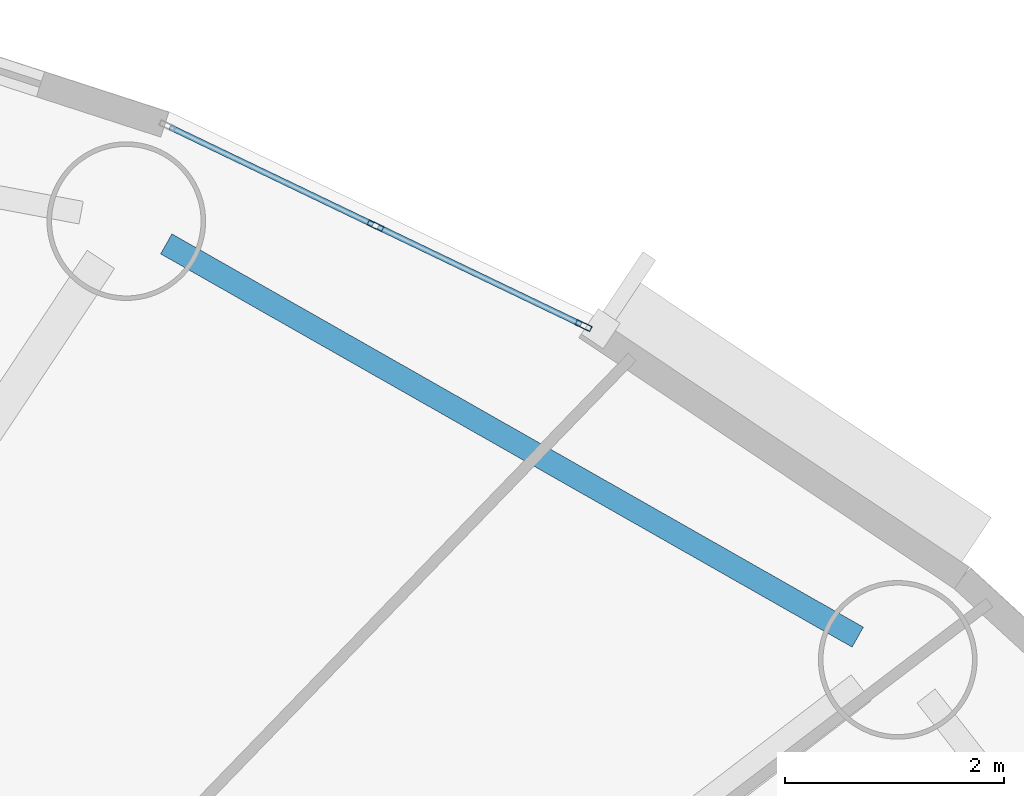
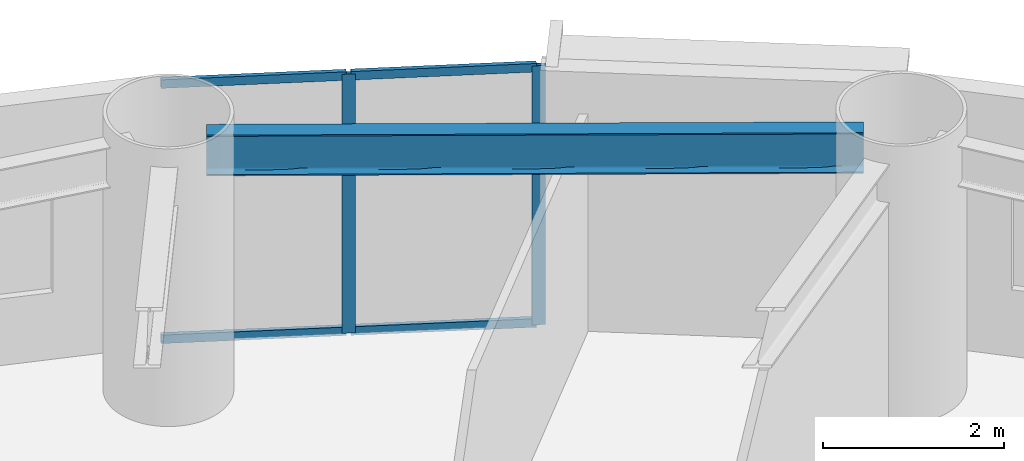
# One storey, part 5 of 16: 6 members, 1 beam, 1 element without a shape of its own.
"""IFC4 building model written with IfcOpenShell, lengths in metres."""

from ifc_helpers import new_model, si_unit, direction, frame, origin, origin_2d, place, context, subcontext, project, spatial, hollow_rectangle, i_section, extrude, source, transform, mapped, material, layer, layer_set, material_profile, profile_set, type_object, element, aggregate, save


model = new_model("IFC4")

# Units and contexts
model_context = context("Model", 3, precision=1e-05, world=origin(), true_north=direction((0.0, 1.0)))
body_context = subcontext(model_context, "Body", "Model", "MODEL_VIEW")
ifc_project = project(units=[si_unit("LENGTHUNIT", "METRE"), si_unit("AREAUNIT", "SQUARE_METRE"), si_unit("VOLUMEUNIT", "CUBIC_METRE"), si_unit("PLANEANGLEUNIT", "RADIAN"), si_unit("MASSUNIT", "GRAM", prefix="KILO")], contexts=[model_context])

# Site, building, storey
site_placement = place(None, origin())
site = spatial("IfcSite", under=ifc_project, at=site_placement, CompositionType="ELEMENT")
building_placement = place(site_placement, origin())
building = spatial("IfcBuilding", under=site, at=building_placement, Name="Linh Dai School and Residence Tower", CompositionType="ELEMENT")
storey_placement = place(building_placement, frame((0.0, 0.0, 138.449951171875)))
storey = spatial("IfcBuildingStorey", under=building, at=storey_placement, Name="L33", CompositionType="ELEMENT", Elevation=138.449951171875)

# Beam
ifc_material_1 = material(Name="Structural Steel S355JR", Category="steel")
ifc_material_profile_1 = material_profile(ifc_material_1, i_section(OverallWidth=0.2099609375, OverallDepth=0.550048828125, WebThickness=0.010986328125, FlangeThickness=0.01708984375, FilletRadius=0.02392578125, at=origin_2d()), Name="IPE 550")
ifc_profile_set_1 = profile_set([ifc_material_profile_1], Name="Structural Steel S355JR")
beam_type = type_object("IfcBeamType", Name="BM-RB55", PredefinedType="BEAM", material=ifc_profile_set_1)
beam_placement = place(storey_placement, frame((55.407470703125, 42.363037109375, 3.22509765625), z_axis=(-0.86927031475, 0.494337050902, 0.0), x_axis=(-0.494337050902, -0.86927031475, 0.0)))
element("IfcBeam", 1, at=beam_placement, inside=storey, type_object=beam_type, Name="L33 Perimeter Elliptical Ring Beam 03", PredefinedType="BEAM", context=body_context, shape_type="SweptSolid", body=[
    extrude(i_section(OverallWidth=0.2099609375, OverallDepth=0.550048828125, WebThickness=0.010986328125, FlangeThickness=0.01708984375, FilletRadius=0.02392578125, at=origin_2d()), origin(), (0.0, 0.0, 1.0), 7.270751953125),
])

# Curtain wall, members
ifc_material_2 = material(Name="Aluminium Anodised Curtain Wall", Category="aluminium")
ifc_layer = layer(ifc_material_2, 0.14990234375)
ifc_layer_set = layer_set([ifc_layer], Name="Aluminium Anodised Curtain Wall")
curtain_wall_type = type_object("IfcCurtainWallType", Name="CW-SYS-4", PredefinedType="USERDEFINED", material=ifc_layer_set)
curtain_wall_placement = place(storey_placement, origin())
curtain_wall = element("IfcCurtainWall", 2, at=curtain_wall_placement, inside=storey, type_object=curtain_wall_type, Name="L33 CW4 Curtain Wall 07", ObjectType="RIBBON CURTAIN WALL", PredefinedType="USERDEFINED")
ifc_material_3 = material(Name="Aluminium Alloy 6063-T6", Category="aluminium")
ifc_material_profile_2 = material_profile(ifc_material_3, hollow_rectangle(XDim=0.052001953125, YDim=0.14990234375, WallThickness=0.00390625, at=origin_2d()), Name="RHS 150x52x4")
ifc_profile_set_2 = profile_set([ifc_material_profile_2], Name="Aluminium Alloy 6063-T6")
member_type_1 = type_object("IfcMemberType", Name="CW-SYS-4-MUL", PredefinedType="MULLION", material=ifc_profile_set_2)
shared_shape_1 = source(origin(), body_context, "Body", "SweptSolid", [
    extrude(hollow_rectangle(XDim=0.052001953125, YDim=0.14990234375, WallThickness=0.00390625, at=origin_2d()), origin(), (0.0, 0.0, 1.0), 3.5),
])
member_1_placement = place(storey_placement, frame((50.99951171875, 46.123291015625, 0.0), z_axis=(0.0, 0.0, 1.0), x_axis=(0.432617589064, 0.901577518371, 0.0)))
member_1 = element("IfcMember", 3, at=member_1_placement, type_object=member_type_1, Name="CW4 mullion 2", PredefinedType="MULLION", context=body_context, shape_type="MappedRepresentation", body=[
    mapped(shared_shape_1, transform((0.0, 0.0, 0.0), x_axis=(1.0, 0.0, 0.0), y_axis=(0.0, 1.0, 0.0), z_axis=(0.0, 0.0, 1.0), scale=1.0)),
])
member_2_placement = place(storey_placement, frame((52.90185546875, 45.210693359375, 0.0), z_axis=(0.0, 0.0, 1.0), x_axis=(0.432617589064, 0.901577518371, 0.0)))
member_2 = element("IfcMember", 4, at=member_2_placement, type_object=member_type_1, Name="CW4 mullion 3", PredefinedType="MULLION", context=body_context, shape_type="MappedRepresentation", body=[
    mapped(shared_shape_1, transform((0.0, 0.0, 0.0), x_axis=(1.0, 0.0, 0.0), y_axis=(0.0, 1.0, 0.0), z_axis=(0.0, 0.0, 1.0), scale=1.0)),
])
ifc_material_profile_3 = material_profile(ifc_material_3, hollow_rectangle(XDim=0.052001953125, YDim=0.114990234375, WallThickness=0.00390625, at=origin_2d()), Name="RHS 115x52x4")
ifc_profile_set_3 = profile_set([ifc_material_profile_3], Name="Aluminium Alloy 6063-T6")
member_type_2 = type_object("IfcMemberType", Name="CW-SYS-4-TRN", PredefinedType="USERDEFINED", material=ifc_profile_set_3)
shared_shape_2 = source(origin(), body_context, "Body", "SweptSolid", [
    extrude(hollow_rectangle(XDim=0.052001953125, YDim=0.114990234375, WallThickness=0.00390625, at=origin_2d()), origin(), (0.0, 0.0, 1.0), 2.057861328125),
])
member_3_placement = place(storey_placement, frame((49.120849609375, 47.02490234375, 0.026123046875), z_axis=(0.901547123533, -0.432680926375, 0.0), x_axis=(0.432680926375, 0.901547123533, 0.0)))
member_3 = element("IfcMember", 5, at=member_3_placement, type_object=member_type_2, Name="CW4 transom 1.1", ObjectType="TRANSOM", PredefinedType="USERDEFINED", context=body_context, shape_type="MappedRepresentation", body=[
    mapped(shared_shape_2, transform((0.0, 0.0, 0.0), x_axis=(1.0, 0.0, 0.0), y_axis=(0.0, 1.0, 0.0), z_axis=(0.0, 0.0, 1.0), scale=1.0)),
])
member_4_placement = place(storey_placement, frame((49.120849609375, 47.02490234375, 3.47412109375), z_axis=(0.901547123533, -0.432680926375, 0.0), x_axis=(0.432680926375, 0.901547123533, 0.0)))
member_4 = element("IfcMember", 6, at=member_4_placement, type_object=member_type_2, Name="CW4 transom 1.2", ObjectType="TRANSOM", PredefinedType="USERDEFINED", context=body_context, shape_type="MappedRepresentation", body=[
    mapped(shared_shape_2, transform((0.0, 0.0, 0.0), x_axis=(1.0, 0.0, 0.0), y_axis=(0.0, 1.0, 0.0), z_axis=(0.0, 0.0, 1.0), scale=1.0)),
])
member_5_placement = place(storey_placement, frame((51.02294921875, 46.112060546875, 0.026123046875), z_axis=(0.901615598845, -0.432538220183, 0.0), x_axis=(0.432538220183, 0.901615598845, 0.0)))
member_5 = element("IfcMember", 7, at=member_5_placement, type_object=member_type_2, Name="CW4 transom 2.1", ObjectType="TRANSOM", PredefinedType="USERDEFINED", context=body_context, shape_type="MappedRepresentation", body=[
    mapped(shared_shape_2, transform((0.0, 0.0, 0.0), x_axis=(1.0, 0.0, 0.0), y_axis=(0.0, 1.0, 0.0), z_axis=(0.0, 0.0, 1.0), scale=1.0)),
])
member_6_placement = place(storey_placement, frame((51.02294921875, 46.112060546875, 3.47412109375), z_axis=(0.901615598845, -0.432538220183, 0.0), x_axis=(0.432538220183, 0.901615598845, 0.0)))
member_6 = element("IfcMember", 8, at=member_6_placement, type_object=member_type_2, Name="CW4 transom 2.2", ObjectType="TRANSOM", PredefinedType="USERDEFINED", context=body_context, shape_type="MappedRepresentation", body=[
    mapped(shared_shape_2, transform((0.0, 0.0, 0.0), x_axis=(1.0, 0.0, 0.0), y_axis=(0.0, 1.0, 0.0), z_axis=(0.0, 0.0, 1.0), scale=1.0)),
])
aggregate(curtain_wall, [member_1, member_2, member_3, member_4, member_5, member_6])

save(model, "model.ifc")
